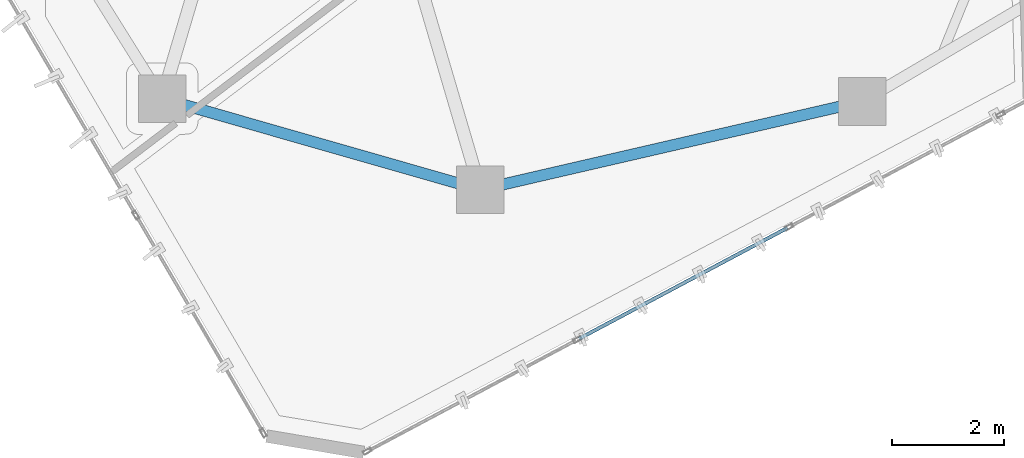
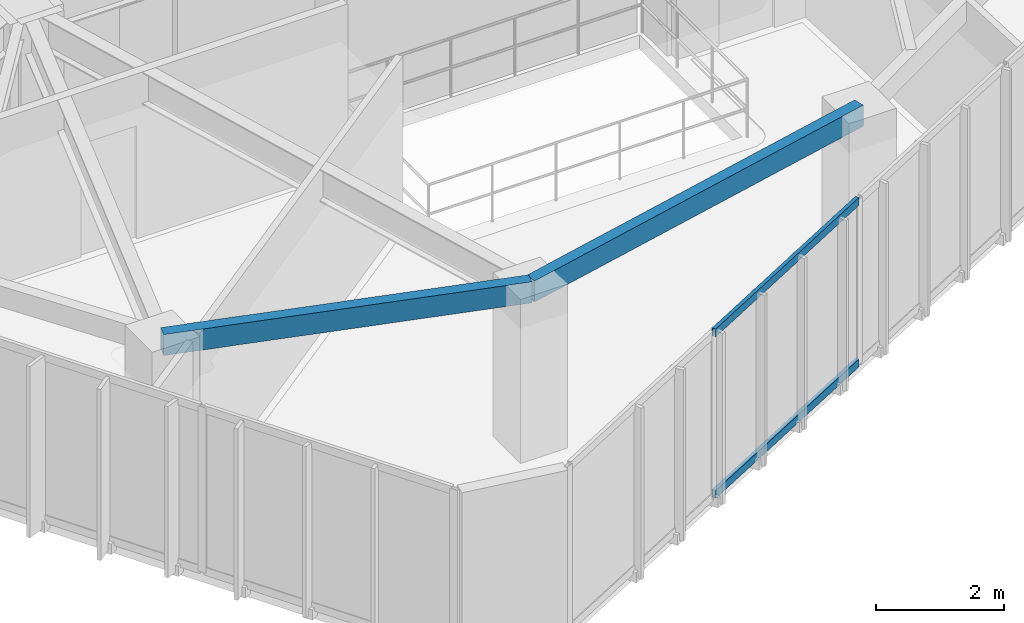
# One storey, part 3 of 20: 2 beams, 2 members, 1 element without a shape of its own.
"""IFC4 building model written with IfcOpenShell, lengths in metres."""

from ifc_helpers import new_model, si_unit, direction, frame, origin, origin_2d, place, context, subcontext, project, spatial, hollow_rectangle, extrude, source, transform, mapped, material, layer, layer_set, material_profile, profile_set, type_object, type_shapes, element, aggregate, save


model = new_model("IFC4")

# Units and contexts
model_context = context("Model", 3, precision=1e-05, world=origin(), true_north=direction((0.0, 1.0)))
body_context = subcontext(model_context, "Body", "Model", "MODEL_VIEW")
ifc_project = project(units=[si_unit("LENGTHUNIT", "METRE"), si_unit("AREAUNIT", "SQUARE_METRE"), si_unit("VOLUMEUNIT", "CUBIC_METRE"), si_unit("PLANEANGLEUNIT", "RADIAN"), si_unit("MASSUNIT", "GRAM", prefix="KILO")], contexts=[model_context])

# Site, building, storey
site_placement = place(None, origin())
site = spatial("IfcSite", under=ifc_project, at=site_placement, CompositionType="ELEMENT")
building_placement = place(site_placement, origin())
building = spatial("IfcBuilding", under=site, at=building_placement, Name="Talar Marvaseh", CompositionType="ELEMENT")
storey_placement = place(building_placement, frame((0.0, 0.0, 261.199951171875)))
storey = spatial("IfcBuildingStorey", under=building, at=storey_placement, Name="L69", CompositionType="ELEMENT", Elevation=261.199951171875)

# Beams
ifc_material_1 = material(Name="Steel S355", Category="steel")
ifc_material_profile_1 = material_profile(ifc_material_1, hollow_rectangle(XDim=0.199951171875, YDim=0.39990234375, WallThickness=0.013916015625, at=origin_2d()), Name="RHS400x200x14")
ifc_profile_set_1 = profile_set([ifc_material_profile_1], Name="Steel S355")
beam_type = type_object("IfcBeamType", Name="Zone 3 Perimeter Spandrel Beam RHS400x200x14", PredefinedType="SPANDREL", material=ifc_profile_set_1)
beam_1_placement = place(storey_placement, frame((28.60498046875, 16.616943359375, 2.93994140625), z_axis=(-0.974361245946, -0.22498924952, 0.0), x_axis=(0.22498924952, -0.974361245946, 0.0)))
element("IfcBeam", 1, at=beam_1_placement, inside=storey, type_object=beam_type, Name="L69 Zone 3 Perimeter Spandrel Beam RHS400x200x14", PredefinedType="SPANDREL", context=body_context, shape_type="SweptSolid", body=[
    extrude(hollow_rectangle(XDim=0.199951171875, YDim=0.39990234375, WallThickness=0.013916015625, at=origin_2d()), origin(), (0.0, 0.0, 1.0), 7.0087890625),
])
beam_2_placement = place(storey_placement, frame((21.77587890625, 15.0400390625, 2.93994140625), z_axis=(-0.961411768303, 0.275113452538, 0.0), x_axis=(-0.275113452538, -0.961411768303, 0.0)))
element("IfcBeam", 2, at=beam_2_placement, inside=storey, type_object=beam_type, Name="L69 Zone 3 Perimeter Spandrel Beam RHS400x200x14", PredefinedType="SPANDREL", context=body_context, shape_type="SweptSolid", body=[
    extrude(hollow_rectangle(XDim=0.199951171875, YDim=0.39990234375, WallThickness=0.013916015625, at=origin_2d()), origin(), (0.0, 0.0, 1.0), 5.917236328125),
])

# Curtain wall, members
ifc_material_2 = material(Name="Architectural Aluminium", Category="aluminium")
ifc_layer = layer(ifc_material_2, 0.179931640625)
ifc_layer_set = layer_set([ifc_layer], Name="Architectural Aluminium")
curtain_wall_type = type_object("IfcCurtainWallType", Name="Unitised High-Wind Sky Curtain Wall Z4", PredefinedType="NOTDEFINED", material=ifc_layer_set)
curtain_wall_placement = place(storey_placement, origin())
curtain_wall = element("IfcCurtainWall", 3, at=curtain_wall_placement, inside=storey, type_object=curtain_wall_type, Name="L69 Unitised High-Wind Sky Curtain Wall Z4", PredefinedType="NOTDEFINED")
ifc_material_profile_2 = material_profile(ifc_material_2, hollow_rectangle(XDim=0.06494140625, YDim=0.14990234375, WallThickness=0.00390625, at=origin_2d()), Name="RHS150x65x4")
ifc_profile_set_2 = profile_set([ifc_material_profile_2], Name="Architectural Aluminium")
member_type = type_object("IfcMemberType", Name="Unitised Curtain Wall Slim Transom RHS150x65x4", PredefinedType="USERDEFINED", material=ifc_profile_set_2)
shared_shape = source(origin(), body_context, "Body", "SweptSolid", [
    extrude(hollow_rectangle(XDim=0.06494140625, YDim=0.14990234375, WallThickness=0.00390625, at=origin_2d()), origin(), (0.0, 0.0, 1.0), 4.22119140625),
])
type_shapes(member_type, [shared_shape])
member_1_placement = place(storey_placement, frame((27.26904296875, 14.356689453125, 0.032470703125), z_axis=(-0.882888715399, -0.469582278436, 0.0), x_axis=(0.469582278436, -0.882888715399, 0.0)))
member_1 = element("IfcMember", 4, at=member_1_placement, type_object=member_type, Name="CW-Z4 transom 3.1", ObjectType="TRANSOM", PredefinedType="USERDEFINED", context=body_context, shape_type="MappedRepresentation", body=[
    mapped(shared_shape, transform((0.0, 0.0, 0.0), x_axis=(1.0, 0.0, 0.0), y_axis=(0.0, 1.0, 0.0), z_axis=(0.0, 0.0, 1.0), scale=1.0)),
])
member_2_placement = place(storey_placement, frame((27.26904296875, 14.356689453125, 3.107666015625), z_axis=(-0.882888715399, -0.469582278436, 0.0), x_axis=(0.469582278436, -0.882888715399, 0.0)))
member_2 = element("IfcMember", 5, at=member_2_placement, type_object=member_type, Name="CW-Z4 transom 3.2", ObjectType="TRANSOM", PredefinedType="USERDEFINED", context=body_context, shape_type="MappedRepresentation", body=[
    mapped(shared_shape, transform((0.0, 0.0, 0.0), x_axis=(1.0, 0.0, 0.0), y_axis=(0.0, 1.0, 0.0), z_axis=(0.0, 0.0, 1.0), scale=1.0)),
])
aggregate(curtain_wall, [member_1, member_2])

save(model, "model.ifc")
